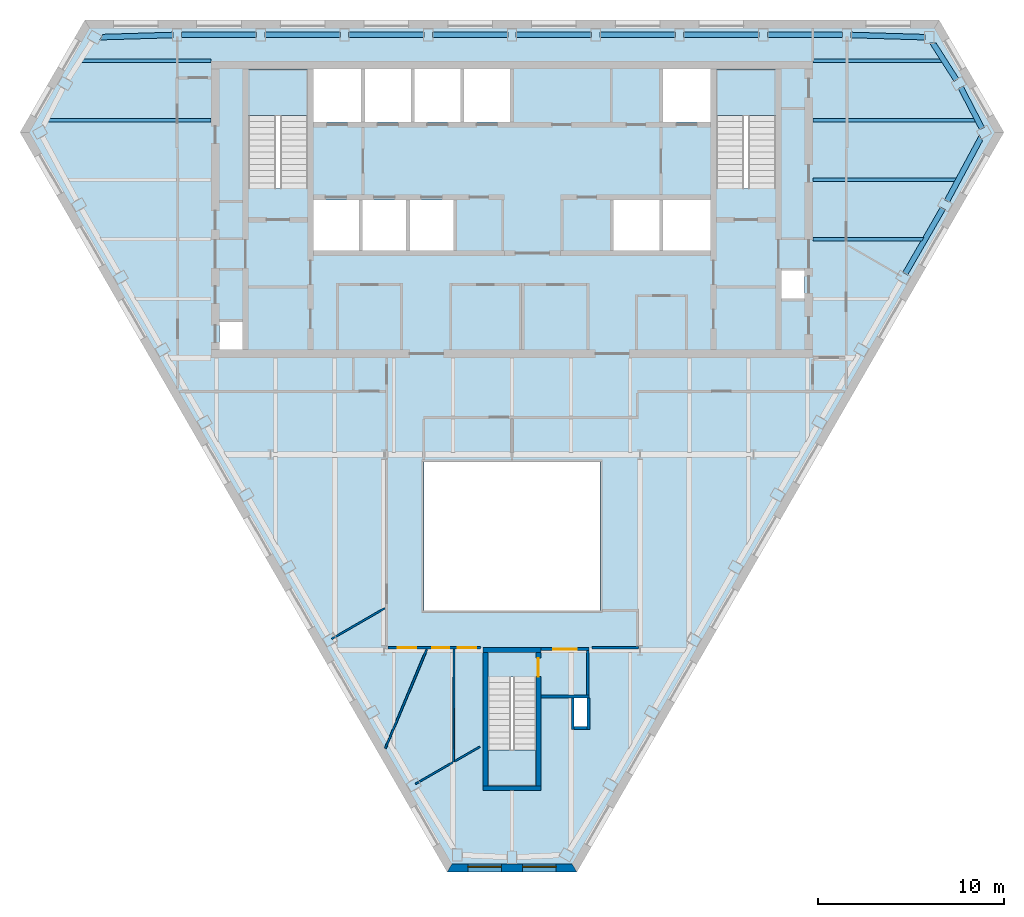
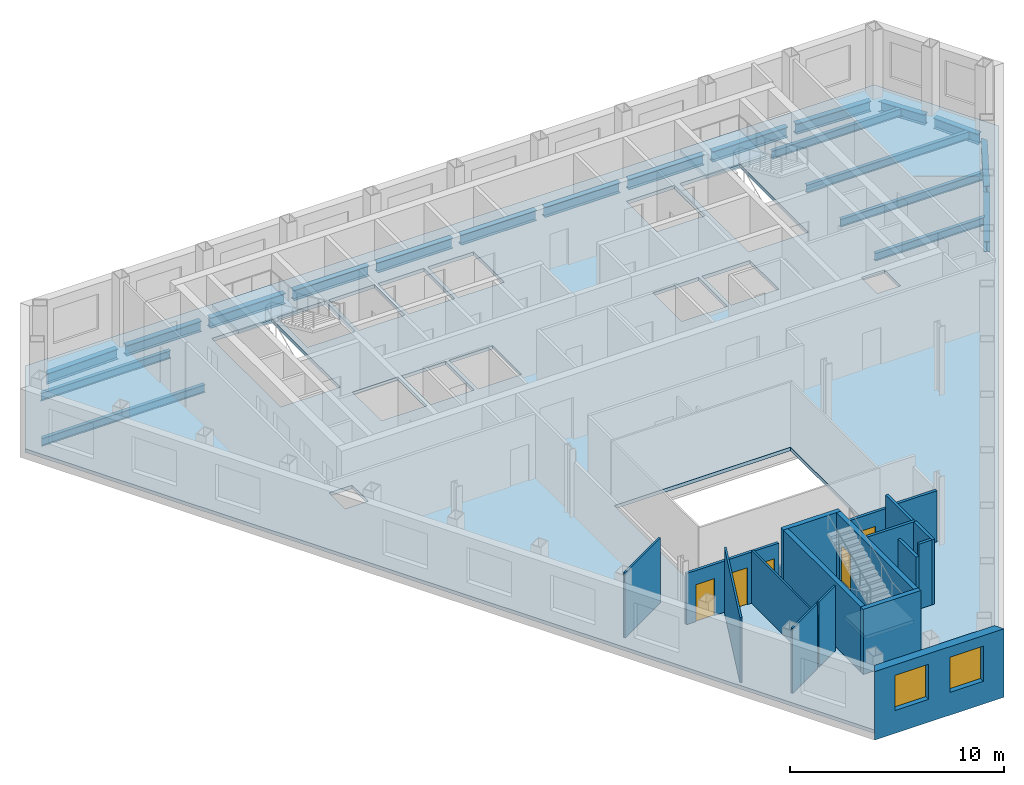
# One storey, part 3 of 11: 20 beams, 18 walls, 5 doors, 4 slabs, 2 windows, 7 openings, 3 elements without a shape of their own.
"""IFC4 building model written with IfcOpenShell, lengths in metres."""

from ifc_helpers import new_model, si_unit, direction, frame, frame_2d, origin, origin_2d, place, context, subcontext, project, spatial, polyline, rectangle, i_section, outline, extrude, clip, halfspace, material, layer, layer_set, material_profile, profile_set, type_object, element, fill, aggregate, save


model = new_model("IFC4")

# Units and contexts
model_context = context("Model", 3, precision=1e-05, world=origin(), true_north=direction((0.0, 1.0)))
body_context = subcontext(model_context, "Body", "Model", "MODEL_VIEW")
ifc_project = project(units=[si_unit("LENGTHUNIT", "METRE"), si_unit("AREAUNIT", "SQUARE_METRE"), si_unit("VOLUMEUNIT", "CUBIC_METRE"), si_unit("PLANEANGLEUNIT", "RADIAN"), si_unit("MASSUNIT", "GRAM", prefix="KILO")], contexts=[model_context])

# Site, building, storey
site_placement = place(None, origin())
site = spatial("IfcSite", under=ifc_project, at=site_placement, CompositionType="ELEMENT")
building_placement = place(site_placement, origin())
building = spatial("IfcBuilding", under=site, at=building_placement, Name="Njiva Tower", CompositionType="ELEMENT")
storey_placement = place(building_placement, frame((0.0, 0.0, 219.9)))
storey = spatial("IfcBuildingStorey", under=building, at=storey_placement, Name="L49", CompositionType="ELEMENT", Elevation=219.9)

# Beams
ifc_material_1 = material(Name="Steel S355 J2", Category="steel")
ifc_material_profile_1 = material_profile(ifc_material_1, i_section(OverallWidth=0.3, OverallDepth=0.59, WebThickness=0.013, FlangeThickness=0.025, at=origin_2d()), Name="HEA 600")
ifc_profile_set_1 = profile_set([ifc_material_profile_1], Name="Steel S355 J2")
beam_type_1 = type_object("IfcBeamType", Name="B27 Short-span spandrel beam HEA 600", PredefinedType="SPANDREL", material=ifc_profile_set_1)
beam_1_placement = place(storey_placement, frame((22.237, 19.274, -0.495), z_axis=(-0.999551960552, 0.029931223781, 0.0), x_axis=(-0.029931223781, -0.999551960552, 0.0)))
element("IfcBeam", 1, at=beam_1_placement, inside=storey, type_object=beam_type_1, Name="Short-span spandrel beam S16-B127", PredefinedType="SPANDREL", context=body_context, shape_type="SweptSolid", body=[
    extrude(i_section(OverallWidth=0.3, OverallDepth=0.59, WebThickness=0.013, FlangeThickness=0.025, at=origin_2d()), origin(), (0.0, 0.0, 1.0), 3.9758),
])
beam_2_placement = place(storey_placement, frame((17.809, 19.4, -0.495), z_axis=(-1.0, 0.0, 0.0), x_axis=(0.0, -1.0, 0.0)))
element("IfcBeam", 2, at=beam_2_placement, inside=storey, type_object=beam_type_1, Name="Short-span spandrel beam S16-B121", PredefinedType="SPANDREL", context=body_context, shape_type="SweptSolid", body=[
    extrude(i_section(OverallWidth=0.3, OverallDepth=0.59, WebThickness=0.013, FlangeThickness=0.025, at=origin_2d()), origin(), (0.0, 0.0, 1.0), 4.058),
])
beam_3_placement = place(storey_placement, frame((13.301, 19.4, -0.495), z_axis=(-1.0, 0.0, 0.0), x_axis=(0.0, -1.0, 0.0)))
element("IfcBeam", 3, at=beam_3_placement, inside=storey, type_object=beam_type_1, Name="Short-span spandrel beam S16-B116", PredefinedType="SPANDREL", context=body_context, shape_type="SweptSolid", body=[
    extrude(i_section(OverallWidth=0.3, OverallDepth=0.59, WebThickness=0.013, FlangeThickness=0.025, at=origin_2d()), origin(), (0.0, 0.0, 1.0), 4.059),
])
beam_4_placement = place(storey_placement, frame((8.792, 19.4, -0.495), z_axis=(-1.0, 0.0, 0.0), x_axis=(0.0, -1.0, 0.0)))
element("IfcBeam", 4, at=beam_4_placement, inside=storey, type_object=beam_type_1, Name="Short-span spandrel beam S16-B111", PredefinedType="SPANDREL", context=body_context, shape_type="SweptSolid", body=[
    extrude(i_section(OverallWidth=0.3, OverallDepth=0.59, WebThickness=0.013, FlangeThickness=0.025, at=origin_2d()), origin(), (0.0, 0.0, 1.0), 4.058),
])
for number, where, z_axis, x_axis, name in (
    (5, (4.284, 19.4, -0.495), (-1.0, 0.0, 0.0), (0.0, -1.0, 0.0), "Short-span spandrel beam S16-B106"),
    (6, (-0.225, 19.4, -0.495), (-1.0, 0.0, 0.0), (0.0, -1.0, 0.0), "Short-span spandrel beam S16-B103"),
):
    element("IfcBeam", number, at=place(storey_placement, frame(where, z_axis=z_axis, x_axis=x_axis)), inside=storey, type_object=beam_type_1, Name=name, PredefinedType="SPANDREL", context=body_context, shape_type="SweptSolid", body=[
        extrude(i_section(OverallWidth=0.3, OverallDepth=0.59, WebThickness=0.013, FlangeThickness=0.025, at=origin_2d()), origin(), (0.0, 0.0, 1.0), 4.059),
    ])
beam_5_placement = place(storey_placement, frame((-4.734, 19.4, -0.495), z_axis=(-1.0, 0.0, 0.0), x_axis=(0.0, -1.0, 0.0)))
element("IfcBeam", 7, at=beam_5_placement, inside=storey, type_object=beam_type_1, Name="Short-span spandrel beam S16-B098", PredefinedType="SPANDREL", context=body_context, shape_type="SweptSolid", body=[
    extrude(i_section(OverallWidth=0.3, OverallDepth=0.59, WebThickness=0.013, FlangeThickness=0.025, at=origin_2d()), origin(), (0.0, 0.0, 1.0), 4.058),
])
beam_6_placement = place(storey_placement, frame((-9.242, 19.4, -0.495), z_axis=(-1.0, 0.0, 0.0), x_axis=(0.0, -1.0, 0.0)))
element("IfcBeam", 8, at=beam_6_placement, inside=storey, type_object=beam_type_1, Name="Short-span spandrel beam S16-B093", PredefinedType="SPANDREL", context=body_context, shape_type="SweptSolid", body=[
    extrude(i_section(OverallWidth=0.3, OverallDepth=0.59, WebThickness=0.013, FlangeThickness=0.025, at=origin_2d()), origin(), (0.0, 0.0, 1.0), 4.059),
])
beam_7_placement = place(storey_placement, frame((-13.751, 19.4, -0.495), z_axis=(-1.0, 0.0, 0.0), x_axis=(0.0, -1.0, 0.0)))
element("IfcBeam", 9, at=beam_7_placement, inside=storey, type_object=beam_type_1, Name="Short-span spandrel beam S16-B088", PredefinedType="SPANDREL", context=body_context, shape_type="SweptSolid", body=[
    extrude(i_section(OverallWidth=0.3, OverallDepth=0.59, WebThickness=0.013, FlangeThickness=0.025, at=origin_2d()), origin(), (0.0, 0.0, 1.0), 4.058),
])
beam_8_placement = place(storey_placement, frame((-18.263, 19.393, -0.495), z_axis=(-0.999546639656, -0.030108390081, 0.0), x_axis=(0.030108390081, -0.999546639656, 0.0)))
element("IfcBeam", 10, at=beam_8_placement, inside=storey, type_object=beam_type_1, Name="Short-span spandrel beam S16-B083", PredefinedType="SPANDREL", context=body_context, shape_type="Clipping", body=[
    clip(extrude(i_section(OverallWidth=0.3, OverallDepth=0.59, WebThickness=0.013, FlangeThickness=0.025, at=origin_2d()), origin(), (0.0, 0.0, 1.0), 3.9657), halfspace(frame((-0.0268, 0.0, 3.836), z_axis=(-0.52584599579, 0.0, 0.850579795617), x_axis=(0.0, 1.0, 0.0)), False)),
])
beam_9_placement = place(storey_placement, frame((21.175, 6.541, -0.495), z_axis=(0.500113408832, 0.865959917263, 0.0), x_axis=(-0.865959917263, 0.500113408832, 0.0)))
element("IfcBeam", 11, at=beam_9_placement, inside=storey, type_object=beam_type_1, Name="Short-span spandrel beam S16-B131", PredefinedType="SPANDREL", context=body_context, shape_type="SweptSolid", body=[
    extrude(i_section(OverallWidth=0.3, OverallDepth=0.59, WebThickness=0.013, FlangeThickness=0.025, at=origin_2d()), origin(), (0.0, 0.0, 1.0), 4.0591),
])
beam_10_placement = place(storey_placement, frame((23.426, 10.452, -0.495), z_axis=(0.473697336162, 0.880687704986, 0.0), x_axis=(-0.880687704986, 0.473697336162, 0.0)))
element("IfcBeam", 12, at=beam_10_placement, inside=storey, type_object=beam_type_1, Name="Short-span spandrel beam S16-B135", PredefinedType="SPANDREL", context=body_context, shape_type="Clipping", body=[
    clip(extrude(i_section(OverallWidth=0.3, OverallDepth=0.59, WebThickness=0.013, FlangeThickness=0.025, at=origin_2d()), origin(), (0.0, 0.0, 1.0), 3.9657), halfspace(frame((-0.026, 0.0, 3.8361), z_axis=(-0.525851211947, 0.0, 0.850576570859), x_axis=(0.0, 1.0, 0.0)), False)),
])
beam_11_placement = place(storey_placement, frame((25.311, 14.36, -0.495), z_axis=(-0.460481072086, 0.887669523106, 0.0), x_axis=(-0.887669523106, -0.460481072086, 0.0)))
element("IfcBeam", 13, at=beam_11_placement, inside=storey, type_object=beam_type_1, Name="Short-span spandrel beam S16-B136", PredefinedType="SPANDREL", context=body_context, shape_type="SweptSolid", body=[
    extrude(i_section(OverallWidth=0.3, OverallDepth=0.59, WebThickness=0.013, FlangeThickness=0.025, at=origin_2d()), origin(), (0.0, 0.0, 1.0), 2.493),
])
beam_12_placement = place(storey_placement, frame((23.932, 16.973, -0.495), z_axis=(-0.538405949855, 0.842685607544, 0.0), x_axis=(-0.842685607544, -0.538405949855, 0.0)))
element("IfcBeam", 14, at=beam_12_placement, inside=storey, type_object=beam_type_1, Name="Short-span spandrel beam S16-B132", PredefinedType="SPANDREL", context=body_context, shape_type="Clipping", body=[
    clip(extrude(i_section(OverallWidth=0.3, OverallDepth=0.59, WebThickness=0.013, FlangeThickness=0.025, at=origin_2d()), origin(), (0.0, 0.0, 1.0), 2.4822), halfspace(frame((-0.0269, 0.0, 2.3491), z_axis=(-0.538405949855, 0.0, 0.842685607544), x_axis=(0.0, 1.0, 0.0)), False)),
])
ifc_material_profile_2 = material_profile(ifc_material_1, i_section(OverallWidth=0.19, OverallDepth=0.45, WebThickness=0.0094, FlangeThickness=0.0146, at=origin_2d()), Name="IPE 450")
ifc_profile_set_2 = profile_set([ifc_material_profile_2], Name="Steel S355 J2")
beam_type_2 = type_object("IfcBeamType", Name="B37 Floor beam to the core IPE 450", PredefinedType="BEAM", material=ifc_profile_set_2)
beam_13_placement = place(storey_placement, frame((16.2, 8.4, -0.425), z_axis=(1.0, 0.0, 0.0), x_axis=(0.0, 1.0, 0.0)))
element("IfcBeam", 15, at=beam_13_placement, inside=storey, type_object=beam_type_2, Name="Floor beam to the core S16-B007", PredefinedType="BEAM", context=body_context, shape_type="Clipping", body=[
    clip(extrude(i_section(OverallWidth=0.19, OverallDepth=0.45, WebThickness=0.0094, FlangeThickness=0.0146, at=origin_2d()), origin(), (0.0, 0.0, 1.0), 6.008), halfspace(frame((-0.025, 0.0, 5.9186), z_axis=(-0.499998009787, 0.0, 0.866026552831), x_axis=(0.0, 1.0, 0.0)), False)),
])
beam_14_placement = place(storey_placement, frame((16.2, 11.6, -0.425), z_axis=(1.0, 0.0, 0.0), x_axis=(0.0, 1.0, 0.0)))
element("IfcBeam", 16, at=beam_14_placement, inside=storey, type_object=beam_type_2, Name="Floor beam to the core S16-B008", PredefinedType="BEAM", context=body_context, shape_type="Clipping", body=[
    clip(extrude(i_section(OverallWidth=0.19, OverallDepth=0.45, WebThickness=0.0094, FlangeThickness=0.0146, at=origin_2d()), origin(), (0.0, 0.0, 1.0), 7.8), halfspace(frame((-0.0237, 0.0, 7.7166), z_axis=(-0.473777178452, 0.0, 0.88064475538), x_axis=(0.0, 1.0, 0.0)), False)),
])
beam_15_placement = place(storey_placement, frame((-25.039, 14.8, -0.425), z_axis=(1.0, 0.0, 0.0), x_axis=(0.0, 1.0, 0.0)))
element("IfcBeam", 17, at=beam_15_placement, inside=storey, type_object=beam_type_2, Name="Floor beam to the core S16-B001", PredefinedType="BEAM", context=body_context, shape_type="Clipping", body=[
    clip(extrude(i_section(OverallWidth=0.19, OverallDepth=0.45, WebThickness=0.0094, FlangeThickness=0.0146, at=origin_2d()), origin(), (0.0, 0.0, 1.0), 8.839), halfspace(frame((0.023, 0.0, 0.0806), z_axis=(0.460472152758, 0.0, -0.887674149975), x_axis=(0.0, -1.0, 0.0)), False)),
])
beam_16_placement = place(storey_placement, frame((16.2, 14.8, -0.425), z_axis=(1.0, 0.0, 0.0), x_axis=(0.0, 1.0, 0.0)))
element("IfcBeam", 18, at=beam_16_placement, inside=storey, type_object=beam_type_2, Name="Floor beam to the core S16-B009", PredefinedType="BEAM", context=body_context, shape_type="Clipping", body=[
    clip(extrude(i_section(OverallWidth=0.19, OverallDepth=0.45, WebThickness=0.0094, FlangeThickness=0.0146, at=origin_2d()), origin(), (0.0, 0.0, 1.0), 8.839), halfspace(frame((0.023, 0.0, 8.7584), z_axis=(0.460472152758, 0.0, 0.887674149975), x_axis=(0.0, 1.0, 0.0)), False)),
])
beam_17_placement = place(storey_placement, frame((-23.238, 18.0, -0.425), z_axis=(1.0, 0.0, 0.0), x_axis=(0.0, 1.0, 0.0)))
element("IfcBeam", 19, at=beam_17_placement, inside=storey, type_object=beam_type_2, Name="Floor beam to the core S16-B003", PredefinedType="BEAM", context=body_context, shape_type="Clipping", body=[
    clip(extrude(i_section(OverallWidth=0.19, OverallDepth=0.45, WebThickness=0.0094, FlangeThickness=0.0146, at=origin_2d()), origin(), (0.0, 0.0, 1.0), 7.038), halfspace(frame((0.0269, 0.0, 0.098), z_axis=(0.538509600291, 0.0, -0.842619374566), x_axis=(0.0, -1.0, 0.0)), False)),
])
beam_18_placement = place(storey_placement, frame((16.2, 18.0, -0.425), z_axis=(1.0, 0.0, 0.0), x_axis=(0.0, 1.0, 0.0)))
element("IfcBeam", 20, at=beam_18_placement, inside=storey, type_object=beam_type_2, Name="Floor beam to the core S16-B010", PredefinedType="BEAM", context=body_context, shape_type="Clipping", body=[
    clip(extrude(i_section(OverallWidth=0.19, OverallDepth=0.45, WebThickness=0.0094, FlangeThickness=0.0146, at=origin_2d()), origin(), (0.0, 0.0, 1.0), 7.038), halfspace(frame((0.0269, 0.0, 6.94), z_axis=(0.538509600291, 0.0, 0.842619374566), x_axis=(0.0, 1.0, 0.0)), False)),
])

# Stair, slab
ifc_material_2 = material(Name="Concrete C40/50", Category="concrete")
stair_type_1 = type_object("IfcStairType", Name="ST4 Exit stair 1500", PredefinedType="HALF_TURN_STAIR", material=ifc_material_2)
stair_1_placement = place(storey_placement, origin())
stair_1 = element("IfcStair", 21, at=stair_1_placement, inside=storey, type_object=stair_type_1, Name="Stair A", PredefinedType="HALF_TURN_STAIR")
ifc_layer_1 = layer(ifc_material_2, 0.2)
ifc_layer_set_1 = layer_set([ifc_layer_1], Name="Concrete C40/50")
slab_type_1 = type_object("IfcSlabType", Name="FL9 Stair landing 200", PredefinedType="LANDING", material=ifc_layer_set_1)
slab_1_placement = place(storey_placement, frame((0.0, 0.0, 1.75)))
slab_1 = element("IfcSlab", 22, at=slab_1_placement, type_object=slab_type_1, Name="ST-A landing 1", PredefinedType="LANDING", context=body_context, shape_type="SweptSolid", body=[
    extrude(outline(polyline([(-14.206, 15.06), (-10.994, 15.06), (-10.994, 17.55), (-14.206, 17.55), (-14.206, 15.06)])), origin(), (0.0, 0.0, 1.0), 0.2),
])
aggregate(stair_1, [slab_1])

stair_2_placement = place(storey_placement, origin())
stair_2 = element("IfcStair", 23, at=stair_2_placement, inside=storey, type_object=stair_type_1, Name="Stair B", PredefinedType="HALF_TURN_STAIR")
slab_2_placement = place(storey_placement, frame((0.0, 0.0, 1.75)))
slab_2 = element("IfcSlab", 24, at=slab_2_placement, type_object=slab_type_1, Name="ST-B landing 1", PredefinedType="LANDING", context=body_context, shape_type="SweptSolid", body=[
    extrude(outline(polyline([(10.994, 15.06), (14.206, 15.06), (14.206, 17.55), (10.994, 17.55), (10.994, 15.06)])), origin(), (0.0, 0.0, 1.0), 0.2),
])
aggregate(stair_2, [slab_2])

stair_type_2 = type_object("IfcStairType", Name="ST1 Exit stair 1250", PredefinedType="HALF_TURN_STAIR", material=ifc_material_2)
stair_3_placement = place(storey_placement, origin())
stair_3 = element("IfcStair", 25, at=stair_3_placement, inside=storey, type_object=stair_type_2, Name="Stair C", PredefinedType="HALF_TURN_STAIR")
slab_3_placement = place(storey_placement, frame((0.0, 0.0, 1.75)))
slab_3 = element("IfcSlab", 26, at=slab_3_placement, type_object=slab_type_1, Name="ST-C landing 1", PredefinedType="LANDING", context=body_context, shape_type="SweptSolid", body=[
    extrude(outline(polyline([(-1.306, -21.05), (1.306, -21.05), (1.306, -19.12), (-1.306, -19.12), (-1.306, -21.05)])), origin(), (0.0, 0.0, 1.0), 0.2),
])
aggregate(stair_3, [slab_3])

# Slab
ifc_material_3 = material(Name="Concrete C30/37", Category="concrete")
ifc_layer_2 = layer(ifc_material_3, 0.2)
ifc_layer_set_2 = layer_set([ifc_layer_2], Name="Concrete C30/37")
slab_type_2 = type_object("IfcSlabType", Name="SL16 Composite floor slab 200", PredefinedType="FLOOR", material=ifc_layer_set_2)
slab_4_placement = place(storey_placement, frame((0.0, 0.0, -0.2)))
element("IfcSlab", 27, at=slab_4_placement, inside=storey, type_object=slab_type_2, Name="Floor slab L49", PredefinedType="FLOOR", context=body_context, shape_type="SweptSolid", body=[
    extrude(outline(polyline([(26.2352, 14.1551), (3.3601, -25.4657), (-3.3601, -25.4657), (-26.2352, 14.1551), (-22.8751, 19.975), (22.8751, 19.975), (26.2352, 14.1551)]), holes=[polyline([(14.5, 5.2), (15.75, 5.2), (15.75, 6.7), (14.5, 6.7), (14.5, 5.2)]), polyline([(10.994, 17.55), (10.994, 11.13), (14.206, 11.13), (14.206, 17.55), (10.994, 17.55)]), polyline([(8.125, 17.55), (8.125, 14.7), (10.7, 14.7), (10.7, 17.55), (8.125, 17.55)]), polyline([(8.1333, 7.8), (10.7, 7.8), (10.7, 10.5), (8.1333, 10.5), (8.1333, 7.8)]), polyline([(5.4667, 7.8), (7.9333, 7.8), (7.9333, 10.5), (5.4667, 10.5), (5.4667, 7.8)]), polyline([(4.75, -11.6), (4.75, -3.6), (-4.75, -3.6), (-4.75, -11.6), (4.75, -11.6)]), polyline([(3.35, -17.85), (4.05, -17.85), (4.05, -16.3), (3.35, -16.3), (3.35, -17.85)]), polyline([(-1.306, -21.05), (1.306, -21.05), (1.306, -15.19), (-1.306, -15.19), (-1.306, -21.05)]), polyline([(-2.575, 14.7), (-0.1, 14.7), (-0.1, 17.55), (-2.575, 17.55), (-2.575, 14.7)]), polyline([(-5.25, 14.7), (-2.775, 14.7), (-2.775, 17.55), (-5.25, 17.55), (-5.25, 14.7)]), polyline([(-5.5, 7.8), (-3.15, 7.8), (-3.15, 10.5), (-5.5, 10.5), (-5.5, 7.8)]), polyline([(-7.925, 14.7), (-5.45, 14.7), (-5.45, 17.55), (-7.925, 17.55), (-7.925, 14.7)]), polyline([(-8.05, 7.8), (-5.7, 7.8), (-5.7, 10.5), (-8.05, 10.5), (-8.05, 7.8)]), polyline([(-10.7, 14.7), (-8.125, 14.7), (-8.125, 17.55), (-10.7, 17.55), (-10.7, 14.7)]), polyline([(-10.7, 7.8), (-8.25, 7.8), (-8.25, 10.5), (-10.7, 10.5), (-10.7, 7.8)]), polyline([(-14.206, 11.13), (-10.994, 11.13), (-10.994, 17.55), (-14.206, 17.55), (-14.206, 11.13)]), polyline([(-15.75, 2.45), (-14.5, 2.45), (-14.5, 3.95), (-15.75, 3.95), (-15.75, 2.45)])]), origin(), (0.0, 0.0, 1.0), 0.2),
])

# Walls
ifc_material_4 = material(Name="Gypsum board on steel studs", Category="gypsum")
ifc_layer_3 = layer(ifc_material_4, 0.1)
ifc_layer_set_3 = layer_set([ifc_layer_3], Name="Gypsum board on steel studs")
wall_type_1 = type_object("IfcWallType", Name="WT20 Gypsum partition 100", PredefinedType="PARTITIONING", material=ifc_layer_set_3)
wall_1_placement = place(storey_placement, frame((-9.705, -13.126, 0.0), z_axis=(0.0, 0.0, 1.0), x_axis=(0.865938055058, 0.500151261923, 0.0)))
element("IfcWall", 28, at=wall_1_placement, inside=storey, type_object=wall_type_1, Name="Partition S16-P006", PredefinedType="PARTITIONING", context=body_context, shape_type="SweptSolid", body=[
    extrude(rectangle(XDim=3.297, YDim=0.1, at=frame_2d((1.6485, 0.0))), origin(), (0.0, 0.0, 1.0), 3.7),
])
wall_2_placement = place(storey_placement, frame((-6.821, -19.02, 0.0), z_axis=(0.0, 0.0, 1.0), x_axis=(0.386360825785, 0.922347717674, 0.0)))
element("IfcWall", 29, at=wall_2_placement, inside=storey, type_object=wall_type_1, Name="Partition S16-P008", PredefinedType="PARTITIONING", context=body_context, shape_type="SweptSolid", body=[
    extrude(rectangle(XDim=5.7744, YDim=0.1, at=frame_2d((2.8872, 0.0))), origin(), (0.0, 0.0, 1.0), 3.7),
])
wall_3_placement = place(storey_placement, frame((-5.195, -20.937, 0.0), z_axis=(0.0, 0.0, 1.0), x_axis=(0.866092546171, 0.499883687939, 0.0)))
element("IfcWall", 30, at=wall_3_placement, inside=storey, type_object=wall_type_1, Name="Partition S16-P011", PredefinedType="PARTITIONING", context=body_context, shape_type="SweptSolid", body=[
    extrude(rectangle(XDim=2.3265, YDim=0.1, at=frame_2d((1.1632, 0.0))), origin(), (0.0, 0.0, 1.0), 3.7),
])
wall_4_placement = place(storey_placement, frame((-3.143, -19.751, 0.0), z_axis=(0.0, 0.0, 1.0), x_axis=(0.003456200555, 0.999994027321, 0.0)))
element("IfcWall", 31, at=wall_4_placement, inside=storey, type_object=wall_type_1, Name="Partition S16-P014", PredefinedType="PARTITIONING", context=body_context, shape_type="SweptSolid", body=[
    extrude(rectangle(XDim=6.076, YDim=0.1, at=frame_2d((3.038, 0.0))), origin(), (0.0, 0.0, 1.0), 3.01),
])
wall_5_placement = place(storey_placement, frame((-3.068, -19.709, 0.0), z_axis=(0.0, 0.0, 1.0), x_axis=(0.866131897097, 0.499815502792, 0.0)))
element("IfcWall", 32, at=wall_5_placement, inside=storey, type_object=wall_type_1, Name="Partition S16-P015", PredefinedType="PARTITIONING", context=body_context, shape_type="SweptSolid", body=[
    extrude(rectangle(XDim=1.5506, YDim=0.1, at=frame_2d((0.7753, 0.0))), origin(), (0.0, 0.0, 1.0), 3.7),
])

# Wall, openings, doors
ifc_layer_4 = layer(ifc_material_4, 0.15)
ifc_layer_set_4 = layer_set([ifc_layer_4], Name="Gypsum board on steel studs")
wall_type_2 = type_object("IfcWallType", Name="WT21 Compartment wall 150", PredefinedType="PARTITIONING", material=ifc_layer_set_4)
wall_6_placement = place(storey_placement, frame((-6.675, -13.6, 0.0), z_axis=(0.0, 0.0, 1.0), x_axis=(1.0, 0.0, 0.0)))
wall_6 = element("IfcWall", 33, at=wall_6_placement, inside=storey, type_object=wall_type_2, Name="Partition S16-P010", PredefinedType="PARTITIONING", context=body_context, shape_type="SweptSolid", body=[
    extrude(rectangle(XDim=4.975, YDim=0.15, at=frame_2d((2.4875, 0.0))), origin(), (0.0, 0.0, 1.0), 2.91),
])
opening_1_placement = place(wall_6_placement, frame((0.522, 0.0, 0.0)))
opening_1 = element("IfcOpeningElement", 34, at=opening_1_placement, cuts=wall_6, Name="Opening S16-D007", PredefinedType="OPENING", context=body_context, shape_type="SweptSolid", body=[
    extrude(rectangle(XDim=1.0, YDim=2.1, at=frame_2d((0.5, 1.05))), frame((0.0, 0.085, 0.0), z_axis=(0.0, -1.0, 0.0), x_axis=(1.0, 0.0, 0.0)), (0.0, 0.0, 1.0), 0.17),
])
opening_2_placement = place(wall_6_placement, frame((2.389, 0.0, 0.0)))
opening_2 = element("IfcOpeningElement", 35, at=opening_2_placement, cuts=wall_6, Name="Opening S16-D008", PredefinedType="OPENING", context=body_context, shape_type="SweptSolid", body=[
    extrude(rectangle(XDim=0.9, YDim=2.1, at=frame_2d((0.45, 1.05))), frame((0.0, 0.085, 0.0), z_axis=(0.0, -1.0, 0.0), x_axis=(1.0, 0.0, 0.0)), (0.0, 0.0, 1.0), 0.17),
])
opening_3_placement = place(wall_6_placement, frame((3.753, 0.0, 0.0)))
opening_3 = element("IfcOpeningElement", 36, at=opening_3_placement, cuts=wall_6, Name="Opening S16-D009", PredefinedType="OPENING", context=body_context, shape_type="SweptSolid", body=[
    extrude(rectangle(XDim=1.0, YDim=2.1, at=frame_2d((0.5, 1.05))), frame((0.0, 0.085, 0.0), z_axis=(0.0, -1.0, 0.0), x_axis=(1.0, 0.0, 0.0)), (0.0, 0.0, 1.0), 0.17),
])
ifc_material_5 = material(Name="Steel fire door set", Category="steel")
door_type_1 = type_object("IfcDoorType", Name="D36 Fire door 900x2100", OperationType="SINGLE_SWING_LEFT", PredefinedType="DOOR", material=ifc_material_5)
door_1_placement = place(opening_2_placement, origin())
door_1 = element("IfcDoor", 37, at=door_1_placement, inside=storey, type_object=door_type_1, Name="Door S16-D008", OperationType="SINGLE_SWING_RIGHT", OverallHeight=2.1, OverallWidth=0.9, PredefinedType="DOOR", context=body_context, shape_type="SweptSolid", body=[
    extrude(rectangle(XDim=0.9, YDim=2.1, at=frame_2d((0.45, 1.05))), frame((0.0, 0.025, 0.0), z_axis=(0.0, -1.0, 0.0), x_axis=(1.0, 0.0, 0.0)), (0.0, 0.0, 1.0), 0.05),
])
fill(opening_2, door_1)
door_type_2 = type_object("IfcDoorType", Name="D37 Fire door 1000x2100", OperationType="SINGLE_SWING_LEFT", PredefinedType="DOOR", material=ifc_material_5)
door_2_placement = place(opening_1_placement, origin())
door_2 = element("IfcDoor", 38, at=door_2_placement, inside=storey, type_object=door_type_2, Name="Door S16-D007", OperationType="SINGLE_SWING_LEFT", OverallHeight=2.1, OverallWidth=1.0, PredefinedType="DOOR", context=body_context, shape_type="SweptSolid", body=[
    extrude(rectangle(XDim=1.0, YDim=2.1, at=frame_2d((0.5, 1.05))), frame((0.0, 0.025, 0.0), z_axis=(0.0, -1.0, 0.0), x_axis=(1.0, 0.0, 0.0)), (0.0, 0.0, 1.0), 0.05),
])
fill(opening_1, door_2)
door_3_placement = place(opening_3_placement, origin())
door_3 = element("IfcDoor", 39, at=door_3_placement, inside=storey, type_object=door_type_2, Name="Door S16-D009", OperationType="SINGLE_SWING_RIGHT", OverallHeight=2.1, OverallWidth=1.0, PredefinedType="DOOR", context=body_context, shape_type="SweptSolid", body=[
    extrude(rectangle(XDim=1.0, YDim=2.1, at=frame_2d((0.5, 1.05))), frame((0.0, 0.025, 0.0), z_axis=(0.0, -1.0, 0.0), x_axis=(1.0, 0.0, 0.0)), (0.0, 0.0, 1.0), 0.05),
])
fill(opening_3, door_3)

# Walls
wall_7_placement = place(storey_placement, frame((4.3, -13.6, 0.0), z_axis=(0.0, 0.0, 1.0), x_axis=(1.0, 0.0, 0.0)))
element("IfcWall", 40, at=wall_7_placement, inside=storey, type_object=wall_type_2, Name="Partition S16-P017", PredefinedType="PARTITIONING", context=body_context, shape_type="SweptSolid", body=[
    extrude(rectangle(XDim=2.525, YDim=0.15, at=frame_2d((1.2625, 0.0))), origin(), (0.0, 0.0, 1.0), 2.91),
])
ifc_material_6 = material(Name="Blockwork", Category="masonry")
ifc_layer_5 = layer(ifc_material_6, 0.15)
ifc_layer_set_5 = layer_set([ifc_layer_5], Name="Blockwork")
wall_type_3 = type_object("IfcWallType", Name="WT4 Stair partition 150", PredefinedType="PARTITIONING", material=ifc_layer_set_5)
wall_8_placement = place(storey_placement, frame((1.55, -16.225, 0.0), z_axis=(0.0, 0.0, 1.0), x_axis=(1.0, 0.0, 0.0)))
element("IfcWall", 41, at=wall_8_placement, inside=storey, type_object=wall_type_3, Name="Stair C vestibule wall south", PredefinedType="PARTITIONING", context=body_context, shape_type="SweptSolid", body=[
    extrude(rectangle(XDim=2.6, YDim=0.15, at=frame_2d((1.3, 0.0))), origin(), (0.0, 0.0, 1.0), 3.7),
])
wall_9_placement = place(storey_placement, frame((4.075, -16.15, 0.0), z_axis=(0.0, 0.0, 1.0), x_axis=(0.0, 1.0, 0.0)))
element("IfcWall", 42, at=wall_9_placement, inside=storey, type_object=wall_type_3, Name="Stair C vestibule wall east", PredefinedType="PARTITIONING", context=body_context, shape_type="SweptSolid", body=[
    extrude(rectangle(XDim=2.4, YDim=0.15, at=frame_2d((1.2, 0.0))), origin(), (0.0, 0.0, 1.0), 3.7),
])

# Wall, opening, door
wall_10_placement = place(storey_placement, frame((1.55, -13.675, 0.0), z_axis=(0.0, 0.0, 1.0), x_axis=(1.0, 0.0, 0.0)))
wall_10 = element("IfcWall", 43, at=wall_10_placement, inside=storey, type_object=wall_type_3, Name="Stair C vestibule wall north", PredefinedType="PARTITIONING", context=body_context, shape_type="SweptSolid", body=[
    extrude(rectangle(XDim=2.6, YDim=0.15, at=frame_2d((1.3, 0.0))), origin(), (0.0, 0.0, 1.0), 2.91),
])
opening_4_placement = place(wall_10_placement, frame((0.675, 0.0, 0.0)))
opening_4 = element("IfcOpeningElement", 44, at=opening_4_placement, cuts=wall_10, Name="Opening S16-D941", PredefinedType="OPENING", context=body_context, shape_type="SweptSolid", body=[
    extrude(rectangle(XDim=1.25, YDim=2.1, at=frame_2d((0.625, 1.05))), frame((0.0, 0.085, 0.0), z_axis=(0.0, -1.0, 0.0), x_axis=(1.0, 0.0, 0.0)), (0.0, 0.0, 1.0), 0.17),
])
ifc_material_7 = material(Name="Glazed steel fire door", Category="steel")
door_type_3 = type_object("IfcDoorType", Name="D8 Vestibule corridor door 1250x2100 glazed", OperationType="SINGLE_SWING_LEFT", PredefinedType="DOOR", material=ifc_material_7)
door_4_placement = place(opening_4_placement, origin())
door_4 = element("IfcDoor", 45, at=door_4_placement, inside=storey, type_object=door_type_3, Name="Stair vestibule corridor door", OperationType="SINGLE_SWING_RIGHT", OverallHeight=2.1, OverallWidth=1.25, PredefinedType="DOOR", context=body_context, shape_type="SweptSolid", body=[
    extrude(rectangle(XDim=1.25, YDim=2.1, at=frame_2d((0.625, 1.05))), frame((0.0, 0.025, 0.0), z_axis=(0.0, -1.0, 0.0), x_axis=(1.0, 0.0, 0.0)), (0.0, 0.0, 1.0), 0.05),
])
fill(opening_4, door_4)

# Walls
wall_11_placement = place(storey_placement, frame((3.275, -18.0, 0.0), z_axis=(0.0, 0.0, 1.0), x_axis=(0.0, 1.0, 0.0)))
element("IfcWall", 46, at=wall_11_placement, inside=storey, type_object=wall_type_3, Name="Stair C pressurisation shaft wall", PredefinedType="PARTITIONING", context=body_context, shape_type="SweptSolid", body=[
    extrude(rectangle(XDim=1.7, YDim=0.15, at=frame_2d((0.85, 0.0))), origin(), (0.0, 0.0, 1.0), 3.01),
])
wall_12_placement = place(storey_placement, frame((3.35, -17.925, 0.0), z_axis=(0.0, 0.0, 1.0), x_axis=(1.0, 0.0, 0.0)))
element("IfcWall", 47, at=wall_12_placement, inside=storey, type_object=wall_type_3, Name="Stair C pressurisation shaft wall", PredefinedType="PARTITIONING", context=body_context, shape_type="SweptSolid", body=[
    extrude(rectangle(XDim=0.7, YDim=0.15, at=frame_2d((0.35, 0.0))), origin(), (0.0, 0.0, 1.0), 3.7),
])
wall_13_placement = place(storey_placement, frame((4.125, -18.0, 0.0), z_axis=(0.0, 0.0, 1.0), x_axis=(0.0, 1.0, 0.0)))
element("IfcWall", 48, at=wall_13_placement, inside=storey, type_object=wall_type_3, Name="Stair C pressurisation shaft wall", PredefinedType="PARTITIONING", context=body_context, shape_type="SweptSolid", body=[
    extrude(rectangle(XDim=1.7, YDim=0.15, at=frame_2d((0.85, 0.0))), origin(), (0.0, 0.0, 1.0), 3.7),
])
ifc_layer_6 = layer(ifc_material_2, 0.25)
ifc_layer_set_6 = layer_set([ifc_layer_6], Name="Concrete C40/50")
wall_type_4 = type_object("IfcWallType", Name="WT9 Stair enclosure wall 250", PredefinedType="SHEAR", material=ifc_layer_set_6)
wall_14_placement = place(storey_placement, frame((-1.425, -21.05, 0.0), z_axis=(0.0, 0.0, 1.0), x_axis=(0.0, 1.0, 0.0)))
element("IfcWall", 49, at=wall_14_placement, inside=storey, type_object=wall_type_4, Name="Stair C wall west", PredefinedType="SHEAR", context=body_context, shape_type="SweptSolid", body=[
    extrude(rectangle(XDim=7.2, YDim=0.25, at=frame_2d((3.6, 0.0))), origin(), (0.0, 0.0, 1.0), 3.7),
])

# Wall, opening, door
wall_15_placement = place(storey_placement, frame((1.425, -21.05, 0.0), z_axis=(0.0, 0.0, 1.0), x_axis=(0.0, 1.0, 0.0)))
wall_15 = element("IfcWall", 50, at=wall_15_placement, inside=storey, type_object=wall_type_4, Name="Stair C wall east", PredefinedType="SHEAR", context=body_context, shape_type="SweptSolid", body=[
    extrude(rectangle(XDim=7.2, YDim=0.25, at=frame_2d((3.6, 0.0))), origin(), (0.0, 0.0, 1.0), 3.7),
])
opening_5_placement = place(wall_15_placement, frame((5.89, 0.0, 0.0)))
opening_5 = element("IfcOpeningElement", 51, at=opening_5_placement, cuts=wall_15, Name="Opening S16-D940", PredefinedType="OPENING", context=body_context, shape_type="SweptSolid", body=[
    extrude(rectangle(XDim=1.0, YDim=2.1, at=frame_2d((0.5, 1.05))), frame((0.0, 0.135, 0.0), z_axis=(0.0, -1.0, 0.0), x_axis=(1.0, 0.0, 0.0)), (0.0, 0.0, 1.0), 0.27),
])
door_type_4 = type_object("IfcDoorType", Name="D9 Stair vestibule door 1000x2100 glazed", OperationType="SINGLE_SWING_LEFT", PredefinedType="DOOR", material=ifc_material_7)
door_5_placement = place(opening_5_placement, origin())
door_5 = element("IfcDoor", 52, at=door_5_placement, inside=storey, type_object=door_type_4, Name="Stair C door", OperationType="SINGLE_SWING_LEFT", OverallHeight=2.1, OverallWidth=1.0, PredefinedType="DOOR", context=body_context, shape_type="SweptSolid", body=[
    extrude(rectangle(XDim=1.0, YDim=2.1, at=frame_2d((0.5, 1.05))), frame((0.0, 0.025, 0.0), z_axis=(0.0, -1.0, 0.0), x_axis=(1.0, 0.0, 0.0)), (0.0, 0.0, 1.0), 0.05),
])
fill(opening_5, door_5)

# Walls
for number, where, z_axis, x_axis, name in (
    (53, (-1.55, -21.175, 0.0), (0.0, 0.0, 1.0), (1.0, 0.0, 0.0), "Stair C wall south"),
    (54, (-1.55, -13.725, 0.0), (0.0, 0.0, 1.0), (1.0, 0.0, 0.0), "Stair C wall north"),
):
    element("IfcWall", number, at=place(storey_placement, frame(where, z_axis=z_axis, x_axis=x_axis)), inside=storey, type_object=wall_type_4, Name=name, PredefinedType="SHEAR", context=body_context, shape_type="SweptSolid", body=[
        extrude(rectangle(XDim=3.1, YDim=0.25, at=frame_2d((1.55, 0.0))), origin(), (0.0, 0.0, 1.0), 3.7),
    ])

# Wall, openings, windows
ifc_material_8 = material(Name="Brick masonry, buff", Category="masonry")
ifc_layer_7 = layer(ifc_material_8, 0.45)
ifc_layer_set_7 = layer_set([ifc_layer_7], Name="Brick masonry, buff")
wall_type_5 = type_object("IfcWallType", Name="WT94 Brick pier and spandrel wall 450, buff", PredefinedType="SOLIDWALL", material=ifc_layer_set_7)
wall_16_placement = place(storey_placement, frame((-3.3601, -25.4657, -0.4), z_axis=(0.0, 0.0, 1.0), x_axis=(1.0, 0.0, 0.0)))
wall_16 = element("IfcWall", 55, at=wall_16_placement, inside=storey, type_object=wall_type_5, Name="Facade wall S", PredefinedType="SOLIDWALL", context=body_context, shape_type="SweptSolid", body=[
    extrude(outline(polyline([(-0.1299, -0.225), (6.8501, -0.225), (6.5903, 0.225), (0.1299, 0.225), (-0.1299, -0.225)])), origin(), (0.0, 0.0, 1.0), 3.9),
])
opening_6_placement = place(wall_16_placement, frame((0.9844, 0.0, 1.3)))
opening_6 = element("IfcOpeningElement", 56, at=opening_6_placement, cuts=wall_16, Name="Opening S16-W20", PredefinedType="OPENING", context=body_context, shape_type="SweptSolid", body=[
    extrude(rectangle(XDim=1.8, YDim=2.0, at=frame_2d((0.9, 1.0))), frame((0.0, 0.235, 0.0), z_axis=(0.0, -1.0, 0.0), x_axis=(1.0, 0.0, 0.0)), (0.0, 0.0, 1.0), 0.47),
])
opening_7_placement = place(wall_16_placement, frame((3.9357, 0.0, 1.3)))
opening_7 = element("IfcOpeningElement", 57, at=opening_7_placement, cuts=wall_16, Name="Opening S16-W21", PredefinedType="OPENING", context=body_context, shape_type="SweptSolid", body=[
    extrude(rectangle(XDim=1.8, YDim=2.0, at=frame_2d((0.9, 1.0))), frame((0.0, 0.235, 0.0), z_axis=(0.0, -1.0, 0.0), x_axis=(1.0, 0.0, 0.0)), (0.0, 0.0, 1.0), 0.47),
])
ifc_material_9 = material(Name="Clear glazing in aluminium frame", Category="aluminium")
window_type = type_object("IfcWindowType", Name="W94 Deep-set window 1800x2000", PartitioningType="SINGLE_PANEL", PredefinedType="WINDOW", material=ifc_material_9)
window_1_placement = place(opening_6_placement, origin())
window_1 = element("IfcWindow", 58, at=window_1_placement, inside=storey, type_object=window_type, Name="Window", OverallHeight=2.0, OverallWidth=1.8, PartitioningType="SINGLE_PANEL", PredefinedType="WINDOW", context=body_context, shape_type="SweptSolid", body=[
    extrude(rectangle(XDim=1.8, YDim=2.0, at=frame_2d((0.9, 1.0))), frame((0.0, 0.105, 0.0), z_axis=(0.0, -1.0, 0.0), x_axis=(1.0, 0.0, 0.0)), (0.0, 0.0, 1.0), 0.06),
])
fill(opening_6, window_1)
window_2_placement = place(opening_7_placement, origin())
window_2 = element("IfcWindow", 59, at=window_2_placement, inside=storey, type_object=window_type, Name="Window", OverallHeight=2.0, OverallWidth=1.8, PartitioningType="SINGLE_PANEL", PredefinedType="WINDOW", context=body_context, shape_type="SweptSolid", body=[
    extrude(rectangle(XDim=1.8, YDim=2.0, at=frame_2d((0.9, 1.0))), frame((0.0, 0.105, 0.0), z_axis=(0.0, -1.0, 0.0), x_axis=(1.0, 0.0, 0.0)), (0.0, 0.0, 1.0), 0.06),
])
fill(opening_7, window_2)

save(model, "model.ifc")
